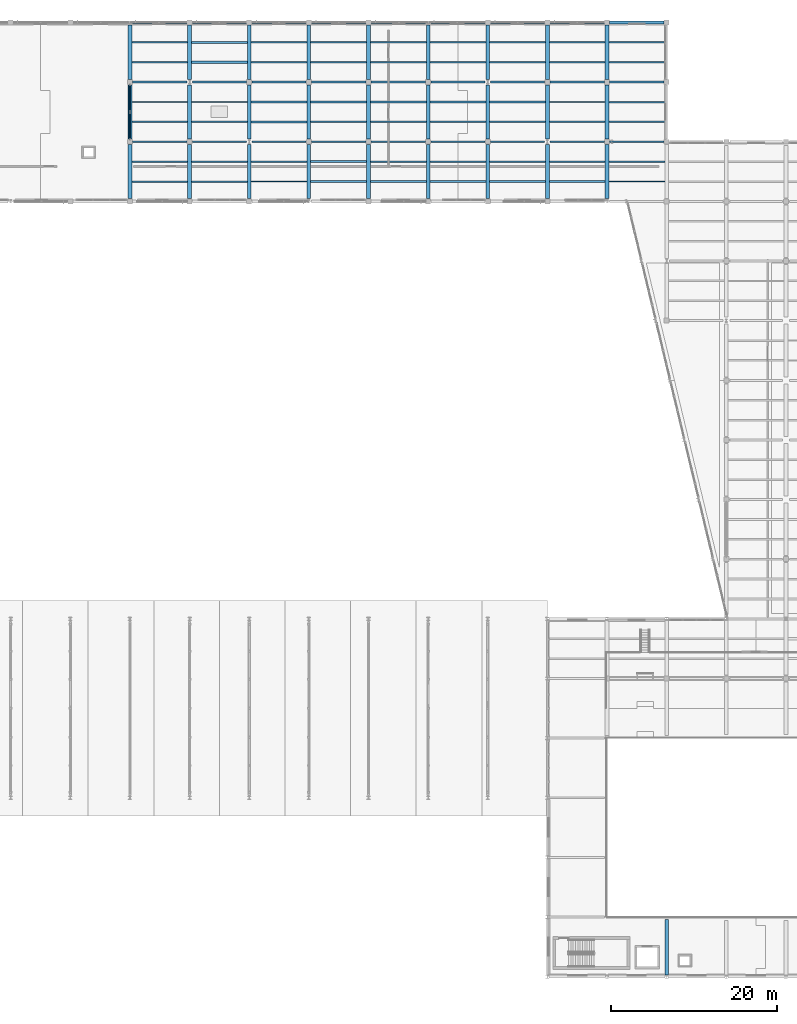
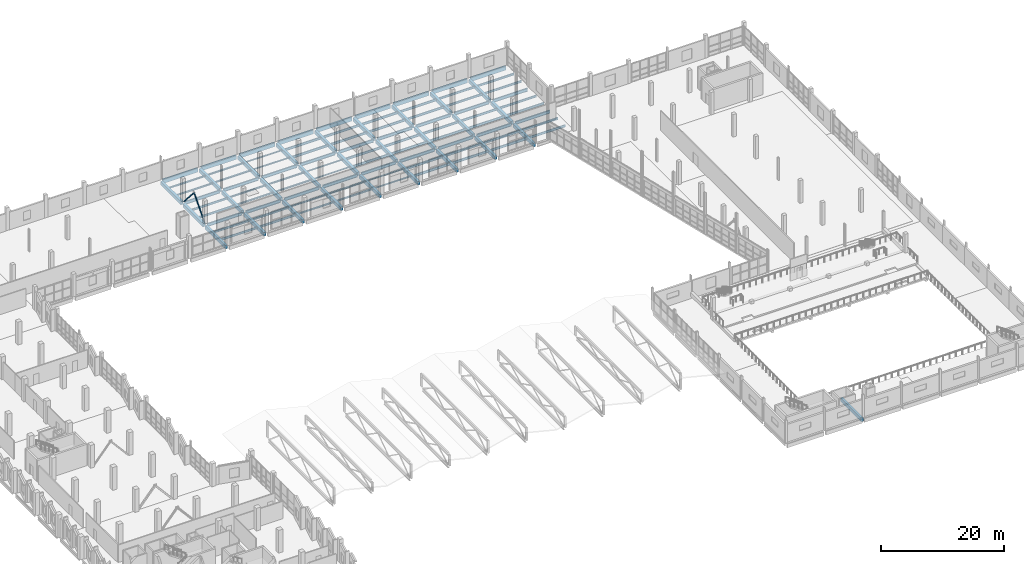
# One storey, part 57 of 123: 109 beams, 2 members.
"""IFC4 building model written with IfcOpenShell, lengths in metres."""

from ifc_helpers import new_model, si_unit, direction, frame, origin, origin_2d, place, context, subcontext, project, spatial, rectangle, hollow_rectangle, i_section, extrude, material, material_profile, profile_set, type_object, element, save


model = new_model("IFC4")

# Units and contexts
model_context = context("Model", 3, precision=1e-05, world=origin(), true_north=direction((0.0, 1.0)))
body_context = subcontext(model_context, "Body", "Model", "MODEL_VIEW")
ifc_project = project(units=[si_unit("LENGTHUNIT", "METRE"), si_unit("AREAUNIT", "SQUARE_METRE"), si_unit("VOLUMEUNIT", "CUBIC_METRE"), si_unit("PLANEANGLEUNIT", "RADIAN"), si_unit("MASSUNIT", "GRAM", prefix="KILO")], contexts=[model_context])

# Site, building, storey
site_placement = place(None, origin())
site = spatial("IfcSite", under=ifc_project, at=site_placement, CompositionType="ELEMENT")
building_placement = place(site_placement, origin())
building = spatial("IfcBuilding", under=site, at=building_placement, Name="Kalmorath City Hall", CompositionType="ELEMENT")
storey_placement = place(building_placement, frame((0.0, 0.0, 10.199951171875)))
storey = spatial("IfcBuildingStorey", under=building, at=storey_placement, Name="L02", CompositionType="ELEMENT", Elevation=10.199951171875)

# Beams
ifc_material_1 = material(Name="Concrete C40/50", Category="concrete")
ifc_material_profile_1 = material_profile(ifc_material_1, rectangle(XDim=0.449951171875, YDim=0.699951171875, at=origin_2d()), Name="RC-BM-450X700")
ifc_profile_set_1 = profile_set([ifc_material_profile_1], Name="Concrete C40/50")
beam_type_1 = type_object("IfcBeamType", Name="Concrete floor beam 450x700", PredefinedType="BEAM", material=ifc_profile_set_1)
for number, where, z_axis, x_axis, name in (
    (1, (64.800048828125, 93.925048828125, -0.634033203125), (0.0, 1.0, 0.0), (-1.0, 0.0, 0.0), "L02 girder CB4 Y10/14-15"),
    (2, (64.800048828125, 101.125, -0.634033203125), (0.0, 1.0, 0.0), (-1.0, 0.0, 0.0), "L02 girder CB4 Y10/15-16"),
    (3, (64.800048828125, 108.324951171875, -0.634033203125), (0.0, 1.0, 0.0), (-1.0, 0.0, 0.0), "L02 girder CB4 Y10/16-17"),
    (4, (72.0, 93.925048828125, -0.634033203125), (0.0, 1.0, 0.0), (-1.0, 0.0, 0.0), "L02 girder CB4 Y11/14-15"),
    (5, (72.0, 101.125, -0.634033203125), (0.0, 1.0, 0.0), (-1.0, 0.0, 0.0), "L02 girder CB4 Y11/15-16"),
    (6, (72.0, 108.324951171875, -0.634033203125), (0.0, 1.0, 0.0), (-1.0, 0.0, 0.0), "L02 girder CB4 Y11/16-17"),
    (7, (79.199951171875, 93.925048828125, -0.634033203125), (0.0, 1.0, 0.0), (-1.0, 0.0, 0.0), "L02 girder CB4 Y12/14-15"),
    (8, (79.199951171875, 101.125, -0.634033203125), (0.0, 1.0, 0.0), (-1.0, 0.0, 0.0), "L02 girder CB4 Y12/15-16"),
    (9, (79.199951171875, 108.324951171875, -0.634033203125), (0.0, 1.0, 0.0), (-1.0, 0.0, 0.0), "L02 girder CB4 Y12/16-17"),
    (10, (86.39990234375, 93.925048828125, -0.634033203125), (0.0, 1.0, 0.0), (-1.0, 0.0, 0.0), "L02 girder CB4 Y13/14-15"),
    (11, (86.39990234375, 101.125, -0.634033203125), (0.0, 1.0, 0.0), (-1.0, 0.0, 0.0), "L02 girder CB4 Y13/15-16"),
    (12, (86.39990234375, 108.324951171875, -0.634033203125), (0.0, 1.0, 0.0), (-1.0, 0.0, 0.0), "L02 girder CB4 Y13/16-17"),
    (13, (93.60009765625, 93.925048828125, -0.634033203125), (0.0, 1.0, 0.0), (-1.0, 0.0, 0.0), "L02 girder CB4 Y14/14-15"),
    (14, (93.60009765625, 101.125, -0.634033203125), (0.0, 1.0, 0.0), (-1.0, 0.0, 0.0), "L02 girder CB4 Y14/15-16"),
    (15, (93.60009765625, 108.324951171875, -0.634033203125), (0.0, 1.0, 0.0), (-1.0, 0.0, 0.0), "L02 girder CB4 Y14/16-17"),
    (16, (100.800048828125, 93.925048828125, -0.634033203125), (0.0, 1.0, 0.0), (-1.0, 0.0, 0.0), "L02 girder CB4 Y15/14-15"),
    (17, (100.800048828125, 101.125, -0.634033203125), (0.0, 1.0, 0.0), (-1.0, 0.0, 0.0), "L02 girder CB4 Y15/15-16"),
    (18, (100.800048828125, 108.324951171875, -0.634033203125), (0.0, 1.0, 0.0), (-1.0, 0.0, 0.0), "L02 girder CB4 Y15/16-17"),
    (19, (108.0, 93.925048828125, -0.634033203125), (0.0, 1.0, 0.0), (-1.0, 0.0, 0.0), "L02 girder CB4 Y16/14-15"),
    (20, (108.0, 101.125, -0.634033203125), (0.0, 1.0, 0.0), (-1.0, 0.0, 0.0), "L02 girder CB4 Y16/15-16"),
    (21, (108.0, 108.324951171875, -0.634033203125), (0.0, 1.0, 0.0), (-1.0, 0.0, 0.0), "L02 girder CB4 Y16/16-17"),
    (22, (115.199951171875, 93.925048828125, -0.634033203125), (0.0, 1.0, 0.0), (-1.0, 0.0, 0.0), "L02 girder CB4 Y17/14-15"),
    (23, (115.199951171875, 101.125, -0.634033203125), (0.0, 1.0, 0.0), (-1.0, 0.0, 0.0), "L02 girder CB4 Y17/15-16"),
    (24, (115.199951171875, 108.324951171875, -0.634033203125), (0.0, 1.0, 0.0), (-1.0, 0.0, 0.0), "L02 girder CB4 Y17/16-17"),
    (25, (122.39990234375, 93.925048828125, -0.634033203125), (0.0, 1.0, 0.0), (-1.0, 0.0, 0.0), "L02 girder CB4 Y18/14-15"),
    (26, (122.39990234375, 101.125, -0.634033203125), (0.0, 1.0, 0.0), (-1.0, 0.0, 0.0), "L02 girder CB4 Y18/15-16"),
    (27, (122.39990234375, 108.324951171875, -0.634033203125), (0.0, 1.0, 0.0), (-1.0, 0.0, 0.0), "L02 girder CB4 Y18/16-17"),
):
    element("IfcBeam", number, at=place(storey_placement, frame(where, z_axis=z_axis, x_axis=x_axis)), inside=storey, type_object=beam_type_1, Name=name, PredefinedType="BEAM", context=body_context, shape_type="SweptSolid", body=[
        extrude(rectangle(XDim=0.449951171875, YDim=0.699951171875, at=origin_2d()), origin(), (0.0, 0.0, 1.0), 6.550048828125),
    ])
beam_1_placement = place(storey_placement, frame((129.60009765625, 0.18603515625, -0.634033203125), z_axis=(0.0, 1.0, 0.0), x_axis=(-1.0, 0.0, 0.0)))
element("IfcBeam", 28, at=beam_1_placement, inside=storey, type_object=beam_type_1, Name="L02 girder CB4 Y19/1-2", PredefinedType="BEAM", context=body_context, shape_type="SweptSolid", body=[
    extrude(rectangle(XDim=0.449951171875, YDim=0.699951171875, at=origin_2d()), origin(), (0.0, 0.0, 1.0), 6.68896484375),
])
ifc_material_2 = material(Name="Precast concrete C40/50", Category="concrete")
ifc_material_profile_2 = material_profile(ifc_material_2, rectangle(XDim=0.35009765625, YDim=0.75, at=origin_2d()), Name="PC-SP-350X750")
ifc_profile_set_2 = profile_set([ifc_material_profile_2], Name="Precast concrete C40/50")
beam_type_2 = type_object("IfcBeamType", Name="Precast spandrel lintel 350x750", PredefinedType="LINTEL", material=ifc_profile_set_2)
for number, where, z_axis, x_axis, name in (
    (29, (65.125, 115.199951171875, -0.658935546875), (1.0, 0.0, 0.0), (0.0, 1.0, 0.0), "L02 girder PSB1 X10-11/17"),
    (30, (72.324951171875, 115.199951171875, -0.658935546875), (1.0, 0.0, 0.0), (0.0, 1.0, 0.0), "L02 girder PSB1 X11-12/17"),
    (31, (79.52490234375, 115.199951171875, -0.658935546875), (1.0, 0.0, 0.0), (0.0, 1.0, 0.0), "L02 girder PSB1 X12-13/17"),
):
    element("IfcBeam", number, at=place(storey_placement, frame(where, z_axis=z_axis, x_axis=x_axis)), inside=storey, type_object=beam_type_2, Name=name, PredefinedType="LINTEL", context=body_context, shape_type="SweptSolid", body=[
        extrude(rectangle(XDim=0.35009765625, YDim=0.75, at=origin_2d()), origin(), (0.0, 0.0, 1.0), 6.550048828125),
    ])
beam_2_placement = place(storey_placement, frame((86.72509765625, 115.199951171875, -0.658935546875), z_axis=(1.0, 0.0, 0.0), x_axis=(0.0, 1.0, 0.0)))
element("IfcBeam", 32, at=beam_2_placement, inside=storey, type_object=beam_type_2, Name="L02 girder PSB1 X13-14/17", PredefinedType="LINTEL", context=body_context, shape_type="SweptSolid", body=[
    extrude(rectangle(XDim=0.35009765625, YDim=0.75, at=origin_2d()), origin(), (0.0, 0.0, 1.0), 6.5498046875),
])
for number, where, z_axis, x_axis, name in (
    (33, (93.925048828125, 115.199951171875, -0.658935546875), (1.0, 0.0, 0.0), (0.0, 1.0, 0.0), "L02 girder PSB1 X14-15/17"),
    (34, (101.125, 115.199951171875, -0.658935546875), (1.0, 0.0, 0.0), (0.0, 1.0, 0.0), "L02 girder PSB1 X15-16/17"),
    (35, (108.324951171875, 115.199951171875, -0.658935546875), (1.0, 0.0, 0.0), (0.0, 1.0, 0.0), "L02 girder PSB1 X16-17/17"),
    (36, (115.52490234375, 115.199951171875, -0.658935546875), (1.0, 0.0, 0.0), (0.0, 1.0, 0.0), "L02 girder PSB1 X17-18/17"),
):
    element("IfcBeam", number, at=place(storey_placement, frame(where, z_axis=z_axis, x_axis=x_axis)), inside=storey, type_object=beam_type_2, Name=name, PredefinedType="LINTEL", context=body_context, shape_type="SweptSolid", body=[
        extrude(rectangle(XDim=0.35009765625, YDim=0.75, at=origin_2d()), origin(), (0.0, 0.0, 1.0), 6.550048828125),
    ])
beam_3_placement = place(storey_placement, frame((122.72509765625, 115.199951171875, -0.658935546875), z_axis=(1.0, 0.0, 0.0), x_axis=(0.0, 1.0, 0.0)))
element("IfcBeam", 37, at=beam_3_placement, inside=storey, type_object=beam_type_2, Name="L02 girder PSB1 X18-19/17", PredefinedType="LINTEL", context=body_context, shape_type="SweptSolid", body=[
    extrude(rectangle(XDim=0.35009765625, YDim=0.75, at=origin_2d()), origin(), (0.0, 0.0, 1.0), 6.5498046875),
])
ifc_material_3 = material(Name="Steel ASTM A992 Grade 50", Category="steel")
ifc_material_profile_3 = material_profile(ifc_material_3, i_section(OverallWidth=0.177001953125, OverallDepth=0.403076171875, WebThickness=0.007568359375, FlangeThickness=0.010986328125, FilletRadius=0.012939453125, at=origin_2d()), Name="W16X36")
ifc_profile_set_3 = profile_set([ifc_material_profile_3], Name="Steel ASTM A992 Grade 50")
beam_type_3 = type_object("IfcBeamType", Name="Steel composite joist W16X36", PredefinedType="JOIST", material=ifc_profile_set_3)
for number, where, z_axis, x_axis, name in (
    (38, (65.02490234375, 103.199951171875, -0.4853515625), (1.0, 0.0, 0.0), (0.0, 1.0, 0.0), "L02 joist SJ7 10.15.1"),
    (39, (65.02490234375, 105.60009765625, -0.4853515625), (1.0, 0.0, 0.0), (0.0, 1.0, 0.0), "L02 joist SJ7 10.15.2"),
    (40, (72.22509765625, 96.0, -0.4853515625), (1.0, 0.0, 0.0), (0.0, 1.0, 0.0), "L02 joist SJ7 11.14.1"),
    (41, (72.22509765625, 98.39990234375, -0.4853515625), (1.0, 0.0, 0.0), (0.0, 1.0, 0.0), "L02 joist SJ7 11.14.2"),
):
    element("IfcBeam", number, at=place(storey_placement, frame(where, z_axis=z_axis, x_axis=x_axis)), inside=storey, type_object=beam_type_3, Name=name, PredefinedType="JOIST", context=body_context, shape_type="SweptSolid", body=[
        extrude(i_section(OverallWidth=0.177001953125, OverallDepth=0.403076171875, WebThickness=0.007568359375, FlangeThickness=0.010986328125, FilletRadius=0.012939453125, at=origin_2d()), origin(), (0.0, 0.0, 1.0), 6.75),
    ])
ifc_material_4 = material(Name="Steel ASTM A992 Grade 50", Category="steel")
ifc_material_profile_4 = material_profile(ifc_material_4, i_section(OverallWidth=0.178955078125, OverallDepth=0.409912109375, WebThickness=0.0087890625, FlangeThickness=0.014404296875, FilletRadius=0.012939453125, at=origin_2d()), Name="W16X45")
ifc_profile_set_4 = profile_set([ifc_material_profile_4], Name="Steel ASTM A992 Grade 50")
beam_type_4 = type_object("IfcBeamType", Name="Steel composite joist W16X45", PredefinedType="JOIST", material=ifc_profile_set_4)
for number, where, z_axis, x_axis, name in (
    (42, (65.02490234375, 96.0, -0.489013671875), (1.0, 0.0, 0.0), (0.0, 1.0, 0.0), "L02 joist SJ6 10.14.1"),
    (43, (65.02490234375, 98.39990234375, -0.489013671875), (1.0, 0.0, 0.0), (0.0, 1.0, 0.0), "L02 joist SJ6 10.14.2"),
):
    element("IfcBeam", number, at=place(storey_placement, frame(where, z_axis=z_axis, x_axis=x_axis)), inside=storey, type_object=beam_type_4, Name=name, PredefinedType="JOIST", context=body_context, shape_type="SweptSolid", body=[
        extrude(i_section(OverallWidth=0.178955078125, OverallDepth=0.409912109375, WebThickness=0.0087890625, FlangeThickness=0.014404296875, FilletRadius=0.012939453125, at=origin_2d()), origin(), (0.0, 0.0, 1.0), 6.75),
    ])
for number, where, z_axis, x_axis, name in (
    (44, (122.625, 110.39990234375, -0.489013671875), (1.0, 0.0, 0.0), (0.0, 1.0, 0.0), "L02 joist SJ6 18.16.1"),
    (45, (122.625, 112.800048828125, -0.489013671875), (1.0, 0.0, 0.0), (0.0, 1.0, 0.0), "L02 joist SJ6 18.16.2"),
):
    element("IfcBeam", number, at=place(storey_placement, frame(where, z_axis=z_axis, x_axis=x_axis)), inside=storey, type_object=beam_type_4, Name=name, PredefinedType="JOIST", context=body_context, shape_type="SweptSolid", body=[
        extrude(i_section(OverallWidth=0.178955078125, OverallDepth=0.409912109375, WebThickness=0.0087890625, FlangeThickness=0.014404296875, FilletRadius=0.012939453125, at=origin_2d()), origin(), (0.0, 0.0, 1.0), 6.892578125),
    ])
ifc_material_5 = material(Name="Steel ASTM A992 Grade 50", Category="steel")
ifc_material_profile_5 = material_profile(ifc_material_5, i_section(OverallWidth=0.180908203125, OverallDepth=0.4169921875, WebThickness=0.010986328125, FlangeThickness=0.018310546875, FilletRadius=0.012939453125, at=origin_2d()), Name="W16X57")
ifc_profile_set_5 = profile_set([ifc_material_profile_5], Name="Steel ASTM A992 Grade 50")
beam_type_5 = type_object("IfcBeamType", Name="Steel composite joist W16X57", PredefinedType="JOIST", material=ifc_profile_set_5)
for number, where, z_axis, x_axis, name in (
    (46, (115.425048828125, 110.39990234375, -0.492431640625), (1.0, 0.0, 0.0), (0.0, 1.0, 0.0), "L02 joist SJ5 17.16.1"),
    (47, (115.425048828125, 112.800048828125, -0.492431640625), (1.0, 0.0, 0.0), (0.0, 1.0, 0.0), "L02 joist SJ5 17.16.2"),
):
    element("IfcBeam", number, at=place(storey_placement, frame(where, z_axis=z_axis, x_axis=x_axis)), inside=storey, type_object=beam_type_5, Name=name, PredefinedType="JOIST", context=body_context, shape_type="SweptSolid", body=[
        extrude(i_section(OverallWidth=0.180908203125, OverallDepth=0.4169921875, WebThickness=0.010986328125, FlangeThickness=0.018310546875, FilletRadius=0.012939453125, at=origin_2d()), origin(), (0.0, 0.0, 1.0), 6.75),
    ])
for number, where, z_axis, x_axis, name in (
    (48, (122.625, 103.199951171875, -0.492431640625), (1.0, 0.0, 0.0), (0.0, 1.0, 0.0), "L02 joist SJ5 18.15.1"),
    (49, (122.625, 105.60009765625, -0.492431640625), (1.0, 0.0, 0.0), (0.0, 1.0, 0.0), "L02 joist SJ5 18.15.2"),
):
    element("IfcBeam", number, at=place(storey_placement, frame(where, z_axis=z_axis, x_axis=x_axis)), inside=storey, type_object=beam_type_5, Name=name, PredefinedType="JOIST", context=body_context, shape_type="SweptSolid", body=[
        extrude(i_section(OverallWidth=0.180908203125, OverallDepth=0.4169921875, WebThickness=0.010986328125, FlangeThickness=0.018310546875, FilletRadius=0.012939453125, at=origin_2d()), origin(), (0.0, 0.0, 1.0), 6.892578125),
    ])
ifc_material_6 = material(Name="Steel ASTM A992 Grade 50", Category="steel")
ifc_material_profile_6 = material_profile(ifc_material_6, i_section(OverallWidth=0.153076171875, OverallDepth=0.455078125, WebThickness=0.008056640625, FlangeThickness=0.01318359375, FilletRadius=0.013916015625, at=origin_2d()), Name="W18X40")
ifc_profile_set_6 = profile_set([ifc_material_profile_6], Name="Steel ASTM A992 Grade 50")
beam_type_6 = type_object("IfcBeamType", Name="Steel composite joist W18X40", PredefinedType="JOIST", material=ifc_profile_set_6)
for number, where, z_axis, x_axis, name in (
    (50, (108.22509765625, 110.39990234375, -0.511474609375), (1.0, 0.0, 0.0), (0.0, 1.0, 0.0), "L02 joist SJ4 16.16.1"),
    (51, (108.22509765625, 112.800048828125, -0.511474609375), (1.0, 0.0, 0.0), (0.0, 1.0, 0.0), "L02 joist SJ4 16.16.2"),
    (52, (115.425048828125, 103.199951171875, -0.511474609375), (1.0, 0.0, 0.0), (0.0, 1.0, 0.0), "L02 joist SJ4 17.15.1"),
    (53, (115.425048828125, 105.60009765625, -0.511474609375), (1.0, 0.0, 0.0), (0.0, 1.0, 0.0), "L02 joist SJ4 17.15.2"),
    (54, (122.625, 96.0, -0.511474609375), (1.0, 0.0, 0.0), (0.0, 1.0, 0.0), "L02 joist SJ4 18.14.1"),
    (55, (122.625, 98.39990234375, -0.511474609375), (1.0, 0.0, 0.0), (0.0, 1.0, 0.0), "L02 joist SJ4 18.14.2"),
):
    element("IfcBeam", number, at=place(storey_placement, frame(where, z_axis=z_axis, x_axis=x_axis)), inside=storey, type_object=beam_type_6, Name=name, PredefinedType="JOIST", context=body_context, shape_type="SweptSolid", body=[
        extrude(i_section(OverallWidth=0.153076171875, OverallDepth=0.455078125, WebThickness=0.008056640625, FlangeThickness=0.01318359375, FilletRadius=0.013916015625, at=origin_2d()), origin(), (0.0, 0.0, 1.0), 6.75),
    ])
ifc_material_7 = material(Name="Steel ASTM A992 Grade 50", Category="steel")
ifc_material_profile_7 = material_profile(ifc_material_7, i_section(OverallWidth=0.19091796875, OverallDepth=0.45703125, WebThickness=0.009033203125, FlangeThickness=0.014404296875, FilletRadius=0.013916015625, at=origin_2d()), Name="W18X50")
ifc_profile_set_7 = profile_set([ifc_material_profile_7], Name="Steel ASTM A992 Grade 50")
beam_type_7 = type_object("IfcBeamType", Name="Steel composite joist W18X50", PredefinedType="JOIST", material=ifc_profile_set_7)
for number, where, z_axis, x_axis, name in (
    (56, (101.02490234375, 110.39990234375, -0.512451171875), (1.0, 0.0, 0.0), (0.0, 1.0, 0.0), "L02 joist SJ3 15.16.1"),
    (57, (101.02490234375, 112.800048828125, -0.512451171875), (1.0, 0.0, 0.0), (0.0, 1.0, 0.0), "L02 joist SJ3 15.16.2"),
    (58, (108.22509765625, 103.199951171875, -0.512451171875), (1.0, 0.0, 0.0), (0.0, 1.0, 0.0), "L02 joist SJ3 16.15.1"),
    (59, (108.22509765625, 105.60009765625, -0.512451171875), (1.0, 0.0, 0.0), (0.0, 1.0, 0.0), "L02 joist SJ3 16.15.2"),
    (60, (115.425048828125, 96.0, -0.512451171875), (1.0, 0.0, 0.0), (0.0, 1.0, 0.0), "L02 joist SJ3 17.14.1"),
    (61, (115.425048828125, 98.39990234375, -0.512451171875), (1.0, 0.0, 0.0), (0.0, 1.0, 0.0), "L02 joist SJ3 17.14.2"),
):
    element("IfcBeam", number, at=place(storey_placement, frame(where, z_axis=z_axis, x_axis=x_axis)), inside=storey, type_object=beam_type_7, Name=name, PredefinedType="JOIST", context=body_context, shape_type="SweptSolid", body=[
        extrude(i_section(OverallWidth=0.19091796875, OverallDepth=0.45703125, WebThickness=0.009033203125, FlangeThickness=0.014404296875, FilletRadius=0.013916015625, at=origin_2d()), origin(), (0.0, 0.0, 1.0), 6.75),
    ])
ifc_material_8 = material(Name="Steel ASTM A992 Grade 50", Category="steel")
ifc_material_profile_8 = material_profile(ifc_material_8, i_section(OverallWidth=0.19091796875, OverallDepth=0.4599609375, WebThickness=0.010009765625, FlangeThickness=0.01611328125, FilletRadius=0.013916015625, at=origin_2d()), Name="W18X55")
ifc_profile_set_8 = profile_set([ifc_material_profile_8], Name="Steel ASTM A992 Grade 50")
beam_type_8 = type_object("IfcBeamType", Name="Steel composite joist W18X55", PredefinedType="JOIST", material=ifc_profile_set_8)
for number, where, z_axis, x_axis, name in (
    (62, (93.824951171875, 110.39990234375, -0.513916015625), (1.0, 0.0, 0.0), (0.0, 1.0, 0.0), "L02 joist SJ2 14.16.1"),
    (63, (93.824951171875, 112.800048828125, -0.513916015625), (1.0, 0.0, 0.0), (0.0, 1.0, 0.0), "L02 joist SJ2 14.16.2"),
    (64, (101.02490234375, 103.199951171875, -0.513916015625), (1.0, 0.0, 0.0), (0.0, 1.0, 0.0), "L02 joist SJ2 15.15.1"),
    (65, (101.02490234375, 105.60009765625, -0.513916015625), (1.0, 0.0, 0.0), (0.0, 1.0, 0.0), "L02 joist SJ2 15.15.2"),
    (66, (108.22509765625, 96.0, -0.513916015625), (1.0, 0.0, 0.0), (0.0, 1.0, 0.0), "L02 joist SJ2 16.14.1"),
    (67, (108.22509765625, 98.39990234375, -0.513916015625), (1.0, 0.0, 0.0), (0.0, 1.0, 0.0), "L02 joist SJ2 16.14.2"),
):
    element("IfcBeam", number, at=place(storey_placement, frame(where, z_axis=z_axis, x_axis=x_axis)), inside=storey, type_object=beam_type_8, Name=name, PredefinedType="JOIST", context=body_context, shape_type="SweptSolid", body=[
        extrude(i_section(OverallWidth=0.19091796875, OverallDepth=0.4599609375, WebThickness=0.010009765625, FlangeThickness=0.01611328125, FilletRadius=0.013916015625, at=origin_2d()), origin(), (0.0, 0.0, 1.0), 6.75),
    ])
ifc_material_9 = material(Name="Steel ASTM A992 Grade 50", Category="steel")
ifc_material_profile_9 = material_profile(ifc_material_9, i_section(OverallWidth=0.193115234375, OverallDepth=0.466064453125, WebThickness=0.011474609375, FlangeThickness=0.01904296875, FilletRadius=0.013916015625, at=origin_2d()), Name="W18X65")
ifc_profile_set_9 = profile_set([ifc_material_profile_9], Name="Steel ASTM A992 Grade 50")
beam_type_9 = type_object("IfcBeamType", Name="Steel composite joist W18X65", PredefinedType="JOIST", material=ifc_profile_set_9)
for number, where, z_axis, x_axis, name in (
    (68, (86.625, 110.39990234375, -0.516845703125), (1.0, 0.0, 0.0), (0.0, 1.0, 0.0), "L02 joist SJ1 13.16.1"),
    (69, (86.625, 112.800048828125, -0.516845703125), (1.0, 0.0, 0.0), (0.0, 1.0, 0.0), "L02 joist SJ1 13.16.2"),
    (70, (93.824951171875, 103.199951171875, -0.516845703125), (1.0, 0.0, 0.0), (0.0, 1.0, 0.0), "L02 joist SJ1 14.15.1"),
    (71, (93.824951171875, 105.60009765625, -0.516845703125), (1.0, 0.0, 0.0), (0.0, 1.0, 0.0), "L02 joist SJ1 14.15.2"),
    (72, (101.02490234375, 96.0, -0.516845703125), (1.0, 0.0, 0.0), (0.0, 1.0, 0.0), "L02 joist SJ1 15.14.1"),
    (73, (101.02490234375, 98.39990234375, -0.516845703125), (1.0, 0.0, 0.0), (0.0, 1.0, 0.0), "L02 joist SJ1 15.14.2"),
):
    element("IfcBeam", number, at=place(storey_placement, frame(where, z_axis=z_axis, x_axis=x_axis)), inside=storey, type_object=beam_type_9, Name=name, PredefinedType="JOIST", context=body_context, shape_type="SweptSolid", body=[
        extrude(i_section(OverallWidth=0.193115234375, OverallDepth=0.466064453125, WebThickness=0.011474609375, FlangeThickness=0.01904296875, FilletRadius=0.013916015625, at=origin_2d()), origin(), (0.0, 0.0, 1.0), 6.75),
    ])
ifc_material_10 = material(Name="Steel ASTM A992 Grade 50", Category="steel")
ifc_material_profile_10 = material_profile(ifc_material_10, i_section(OverallWidth=0.202880859375, OverallDepth=0.202880859375, WebThickness=0.007080078125, FlangeThickness=0.010986328125, FilletRadius=0.010986328125, at=origin_2d()), Name="W8X31")
ifc_profile_set_10 = profile_set([ifc_material_profile_10], Name="Steel ASTM A992 Grade 50")
beam_type_10 = type_object("IfcBeamType", Name="Steel edge trimmer W8X31", PredefinedType="LINTEL", material=ifc_profile_set_10)
for number, where, z_axis, x_axis, name in (
    (74, (79.425048828125, 110.39990234375, -0.385498046875), (1.0, 0.0, 0.0), (0.0, 1.0, 0.0), "L02 joist SJ16 12.16.1"),
    (75, (79.425048828125, 112.800048828125, -0.385498046875), (1.0, 0.0, 0.0), (0.0, 1.0, 0.0), "L02 joist SJ16 12.16.2"),
    (76, (86.625, 103.199951171875, -0.385498046875), (1.0, 0.0, 0.0), (0.0, 1.0, 0.0), "L02 joist SJ16 13.15.1"),
    (77, (86.625, 105.60009765625, -0.385498046875), (1.0, 0.0, 0.0), (0.0, 1.0, 0.0), "L02 joist SJ16 13.15.2"),
    (78, (93.824951171875, 96.0, -0.385498046875), (1.0, 0.0, 0.0), (0.0, 1.0, 0.0), "L02 joist SJ16 14.14.1"),
    (79, (93.824951171875, 98.39990234375, -0.385498046875), (1.0, 0.0, 0.0), (0.0, 1.0, 0.0), "L02 joist SJ16 14.14.2"),
):
    element("IfcBeam", number, at=place(storey_placement, frame(where, z_axis=z_axis, x_axis=x_axis)), inside=storey, type_object=beam_type_10, Name=name, PredefinedType="LINTEL", context=body_context, shape_type="SweptSolid", body=[
        extrude(i_section(OverallWidth=0.202880859375, OverallDepth=0.202880859375, WebThickness=0.007080078125, FlangeThickness=0.010986328125, FilletRadius=0.010986328125, at=origin_2d()), origin(), (0.0, 0.0, 1.0), 6.75),
    ])
ifc_material_11 = material(Name="Steel ASTM A992 Grade 50", Category="steel")
ifc_material_profile_11 = material_profile(ifc_material_11, i_section(OverallWidth=0.22900390625, OverallDepth=0.612060546875, WebThickness=0.011962890625, FlangeThickness=0.01953125, FilletRadius=0.01611328125, at=origin_2d()), Name="W24X84")
ifc_profile_set_11 = profile_set([ifc_material_profile_11], Name="Steel ASTM A992 Grade 50")
beam_type_11 = type_object("IfcBeamType", Name="Steel floor girder W24X84", PredefinedType="BEAM", material=ifc_profile_set_11)
for number, where, z_axis, x_axis, name in (
    (80, (65.125, 100.800048828125, -0.58984375), (1.0, 0.0, 0.0), (0.0, 1.0, 0.0), "L02 girder SG8 X10-11/15"),
    (81, (72.324951171875, 100.800048828125, -0.58984375), (1.0, 0.0, 0.0), (0.0, 1.0, 0.0), "L02 girder SG8 X11-12/15"),
    (82, (79.52490234375, 100.800048828125, -0.58984375), (1.0, 0.0, 0.0), (0.0, 1.0, 0.0), "L02 girder SG8 X12-13/15"),
):
    element("IfcBeam", number, at=place(storey_placement, frame(where, z_axis=z_axis, x_axis=x_axis)), inside=storey, type_object=beam_type_11, Name=name, PredefinedType="BEAM", context=body_context, shape_type="SweptSolid", body=[
        extrude(i_section(OverallWidth=0.22900390625, OverallDepth=0.612060546875, WebThickness=0.011962890625, FlangeThickness=0.01953125, FilletRadius=0.01611328125, at=origin_2d()), origin(), (0.0, 0.0, 1.0), 6.550048828125),
    ])
beam_4_placement = place(storey_placement, frame((86.72509765625, 100.800048828125, -0.58984375), z_axis=(1.0, 0.0, 0.0), x_axis=(0.0, 1.0, 0.0)))
element("IfcBeam", 83, at=beam_4_placement, inside=storey, type_object=beam_type_11, Name="L02 girder SG8 X13-14/15", PredefinedType="BEAM", context=body_context, shape_type="SweptSolid", body=[
    extrude(i_section(OverallWidth=0.22900390625, OverallDepth=0.612060546875, WebThickness=0.011962890625, FlangeThickness=0.01953125, FilletRadius=0.01611328125, at=origin_2d()), origin(), (0.0, 0.0, 1.0), 6.5498046875),
])
for number, where, z_axis, x_axis, name in (
    (84, (93.925048828125, 100.800048828125, -0.58984375), (1.0, 0.0, 0.0), (0.0, 1.0, 0.0), "L02 girder SG8 X14-15/15"),
    (85, (101.125, 100.800048828125, -0.58984375), (1.0, 0.0, 0.0), (0.0, 1.0, 0.0), "L02 girder SG8 X15-16/15"),
    (86, (108.324951171875, 100.800048828125, -0.58984375), (1.0, 0.0, 0.0), (0.0, 1.0, 0.0), "L02 girder SG8 X16-17/15"),
    (87, (115.52490234375, 100.800048828125, -0.58984375), (1.0, 0.0, 0.0), (0.0, 1.0, 0.0), "L02 girder SG8 X17-18/15"),
):
    element("IfcBeam", number, at=place(storey_placement, frame(where, z_axis=z_axis, x_axis=x_axis)), inside=storey, type_object=beam_type_11, Name=name, PredefinedType="BEAM", context=body_context, shape_type="SweptSolid", body=[
        extrude(i_section(OverallWidth=0.22900390625, OverallDepth=0.612060546875, WebThickness=0.011962890625, FlangeThickness=0.01953125, FilletRadius=0.01611328125, at=origin_2d()), origin(), (0.0, 0.0, 1.0), 6.550048828125),
    ])
beam_5_placement = place(storey_placement, frame((122.72509765625, 100.800048828125, -0.58984375), z_axis=(1.0, 0.0, 0.0), x_axis=(0.0, 1.0, 0.0)))
element("IfcBeam", 88, at=beam_5_placement, inside=storey, type_object=beam_type_11, Name="L02 girder SG8 X18-19/15", PredefinedType="BEAM", context=body_context, shape_type="SweptSolid", body=[
    extrude(i_section(OverallWidth=0.22900390625, OverallDepth=0.612060546875, WebThickness=0.011962890625, FlangeThickness=0.01953125, FilletRadius=0.01611328125, at=origin_2d()), origin(), (0.0, 0.0, 1.0), 6.5498046875),
])
for number, where, z_axis, x_axis, name in (
    (89, (65.125, 108.0, -0.58984375), (1.0, 0.0, 0.0), (0.0, 1.0, 0.0), "L02 girder SG8 X10-11/16"),
    (90, (72.324951171875, 108.0, -0.58984375), (1.0, 0.0, 0.0), (0.0, 1.0, 0.0), "L02 girder SG8 X11-12/16"),
    (91, (79.52490234375, 108.0, -0.58984375), (1.0, 0.0, 0.0), (0.0, 1.0, 0.0), "L02 girder SG8 X12-13/16"),
):
    element("IfcBeam", number, at=place(storey_placement, frame(where, z_axis=z_axis, x_axis=x_axis)), inside=storey, type_object=beam_type_11, Name=name, PredefinedType="BEAM", context=body_context, shape_type="SweptSolid", body=[
        extrude(i_section(OverallWidth=0.22900390625, OverallDepth=0.612060546875, WebThickness=0.011962890625, FlangeThickness=0.01953125, FilletRadius=0.01611328125, at=origin_2d()), origin(), (0.0, 0.0, 1.0), 6.550048828125),
    ])
beam_6_placement = place(storey_placement, frame((86.72509765625, 108.0, -0.58984375), z_axis=(1.0, 0.0, 0.0), x_axis=(0.0, 1.0, 0.0)))
element("IfcBeam", 92, at=beam_6_placement, inside=storey, type_object=beam_type_11, Name="L02 girder SG8 X13-14/16", PredefinedType="BEAM", context=body_context, shape_type="SweptSolid", body=[
    extrude(i_section(OverallWidth=0.22900390625, OverallDepth=0.612060546875, WebThickness=0.011962890625, FlangeThickness=0.01953125, FilletRadius=0.01611328125, at=origin_2d()), origin(), (0.0, 0.0, 1.0), 6.5498046875),
])
for number, where, z_axis, x_axis, name in (
    (93, (93.925048828125, 108.0, -0.58984375), (1.0, 0.0, 0.0), (0.0, 1.0, 0.0), "L02 girder SG8 X14-15/16"),
    (94, (101.125, 108.0, -0.58984375), (1.0, 0.0, 0.0), (0.0, 1.0, 0.0), "L02 girder SG8 X15-16/16"),
    (95, (108.324951171875, 108.0, -0.58984375), (1.0, 0.0, 0.0), (0.0, 1.0, 0.0), "L02 girder SG8 X16-17/16"),
    (96, (115.52490234375, 108.0, -0.58984375), (1.0, 0.0, 0.0), (0.0, 1.0, 0.0), "L02 girder SG8 X17-18/16"),
):
    element("IfcBeam", number, at=place(storey_placement, frame(where, z_axis=z_axis, x_axis=x_axis)), inside=storey, type_object=beam_type_11, Name=name, PredefinedType="BEAM", context=body_context, shape_type="SweptSolid", body=[
        extrude(i_section(OverallWidth=0.22900390625, OverallDepth=0.612060546875, WebThickness=0.011962890625, FlangeThickness=0.01953125, FilletRadius=0.01611328125, at=origin_2d()), origin(), (0.0, 0.0, 1.0), 6.550048828125),
    ])
beam_7_placement = place(storey_placement, frame((122.72509765625, 108.0, -0.58984375), z_axis=(1.0, 0.0, 0.0), x_axis=(0.0, 1.0, 0.0)))
element("IfcBeam", 97, at=beam_7_placement, inside=storey, type_object=beam_type_11, Name="L02 girder SG8 X18-19/16", PredefinedType="BEAM", context=body_context, shape_type="SweptSolid", body=[
    extrude(i_section(OverallWidth=0.22900390625, OverallDepth=0.612060546875, WebThickness=0.011962890625, FlangeThickness=0.01953125, FilletRadius=0.01611328125, at=origin_2d()), origin(), (0.0, 0.0, 1.0), 6.5498046875),
])
ifc_material_12 = material(Name="Steel ASTM A992 Grade 50", Category="steel")
ifc_material_profile_12 = material_profile(ifc_material_12, i_section(OverallWidth=0.1669921875, OverallDepth=0.318115234375, WebThickness=0.007568359375, FlangeThickness=0.01318359375, FilletRadius=0.012939453125, at=origin_2d()), Name="W12X35")
ifc_profile_set_12 = profile_set([ifc_material_profile_12], Name="Steel ASTM A992 Grade 50")
beam_type_12 = type_object("IfcBeamType", Name="Steel header lintel W12X35", PredefinedType="LINTEL", material=ifc_profile_set_12)
for number, where, z_axis, x_axis, name in (
    (98, (65.02490234375, 110.39990234375, -0.44287109375), (1.0, 0.0, 0.0), (0.0, 1.0, 0.0), "L02 joist SJ13 10.16.1"),
    (99, (65.02490234375, 112.800048828125, -0.44287109375), (1.0, 0.0, 0.0), (0.0, 1.0, 0.0), "L02 joist SJ13 10.16.2"),
    (100, (72.22509765625, 103.199951171875, -0.44287109375), (1.0, 0.0, 0.0), (0.0, 1.0, 0.0), "L02 joist SJ13 11.15.1"),
    (101, (72.22509765625, 105.60009765625, -0.44287109375), (1.0, 0.0, 0.0), (0.0, 1.0, 0.0), "L02 joist SJ13 11.15.2"),
    (102, (79.425048828125, 96.0, -0.44287109375), (1.0, 0.0, 0.0), (0.0, 1.0, 0.0), "L02 joist SJ13 12.14.1"),
    (103, (79.425048828125, 98.39990234375, -0.44287109375), (1.0, 0.0, 0.0), (0.0, 1.0, 0.0), "L02 joist SJ13 12.14.2"),
):
    element("IfcBeam", number, at=place(storey_placement, frame(where, z_axis=z_axis, x_axis=x_axis)), inside=storey, type_object=beam_type_12, Name=name, PredefinedType="LINTEL", context=body_context, shape_type="SweptSolid", body=[
        extrude(i_section(OverallWidth=0.1669921875, OverallDepth=0.318115234375, WebThickness=0.007568359375, FlangeThickness=0.01318359375, FilletRadius=0.012939453125, at=origin_2d()), origin(), (0.0, 0.0, 1.0), 6.75),
    ])

# Members
ifc_material_13 = material(Name="Steel ASTM A500 Grade C", Category="steel")
ifc_material_profile_13 = material_profile(ifc_material_13, hollow_rectangle(XDim=0.177978515625, YDim=0.177978515625, WallThickness=0.0087890625, InnerFilletRadius=0.0087890625, OuterFilletRadius=0.017822265625, at=origin_2d()), Name="HSS178X178X9.5")
ifc_profile_set_13 = profile_set([ifc_material_profile_13], Name="Steel ASTM A500 Grade C")
member_type = type_object("IfcMemberType", Name="Steel seismic brace HSS178X178X9.5", PredefinedType="BRACE", material=ifc_profile_set_13)
member_1_placement = place(storey_placement, frame((64.800048828125, 101.10009765625, 0.0), z_axis=(0.0, 0.661600590473, 0.749856425381), x_axis=(-1.0, 0.0, 0.0)))
element("IfcMember", 104, at=member_1_placement, inside=storey, type_object=member_type, Name="L02 chevron brace BR3 4A", PredefinedType="BRACE", context=body_context, shape_type="SweptSolid", body=[
    extrude(hollow_rectangle(XDim=0.177978515625, YDim=0.177978515625, WallThickness=0.0087890625, InnerFilletRadius=0.0087890625, OuterFilletRadius=0.017822265625, at=origin_2d()), origin(), (0.0, 0.0, 1.0), 4.987548828125),
])
member_2_placement = place(storey_placement, frame((64.800048828125, 107.699951171875, 0.0), z_axis=(0.0, -0.661628112653, 0.74983214158), x_axis=(1.0, 0.0, 0.0)))
element("IfcMember", 105, at=member_2_placement, inside=storey, type_object=member_type, Name="L02 chevron brace BR3 4B", PredefinedType="BRACE", context=body_context, shape_type="SweptSolid", body=[
    extrude(hollow_rectangle(XDim=0.177978515625, YDim=0.177978515625, WallThickness=0.0087890625, InnerFilletRadius=0.0087890625, OuterFilletRadius=0.017822265625, at=origin_2d()), origin(), (0.0, 0.0, 1.0), 4.98779296875),
])

# Beams
ifc_material_14 = material(Name="Steel ASTM A992 Grade 50", Category="steel")
ifc_material_profile_14 = material_profile(ifc_material_14, i_section(OverallWidth=0.25390625, OverallDepth=0.2529296875, WebThickness=0.008544921875, FlangeThickness=0.01416015625, FilletRadius=0.011962890625, at=origin_2d()), Name="W10X49")
ifc_profile_set_14 = profile_set([ifc_material_profile_14], Name="Steel ASTM A992 Grade 50")
beam_type_13 = type_object("IfcBeamType", Name="Steel trimmer beam W10X49", PredefinedType="BEAM", material=ifc_profile_set_14)
for number, where, z_axis, x_axis, name in (
    (106, (72.22509765625, 110.39990234375, -0.410400390625), (1.0, 0.0, 0.0), (0.0, 1.0, 0.0), "L02 joist SJ14 11.16.1"),
    (107, (72.22509765625, 112.800048828125, -0.410400390625), (1.0, 0.0, 0.0), (0.0, 1.0, 0.0), "L02 joist SJ14 11.16.2"),
    (108, (79.425048828125, 103.199951171875, -0.410400390625), (1.0, 0.0, 0.0), (0.0, 1.0, 0.0), "L02 joist SJ14 12.15.1"),
    (109, (79.425048828125, 105.60009765625, -0.410400390625), (1.0, 0.0, 0.0), (0.0, 1.0, 0.0), "L02 joist SJ14 12.15.2"),
    (110, (86.625, 96.0, -0.410400390625), (1.0, 0.0, 0.0), (0.0, 1.0, 0.0), "L02 joist SJ14 13.14.1"),
    (111, (86.625, 98.39990234375, -0.410400390625), (1.0, 0.0, 0.0), (0.0, 1.0, 0.0), "L02 joist SJ14 13.14.2"),
):
    element("IfcBeam", number, at=place(storey_placement, frame(where, z_axis=z_axis, x_axis=x_axis)), inside=storey, type_object=beam_type_13, Name=name, PredefinedType="BEAM", context=body_context, shape_type="SweptSolid", body=[
        extrude(i_section(OverallWidth=0.25390625, OverallDepth=0.2529296875, WebThickness=0.008544921875, FlangeThickness=0.01416015625, FilletRadius=0.011962890625, at=origin_2d()), origin(), (0.0, 0.0, 1.0), 6.75),
    ])

save(model, "model.ifc")
